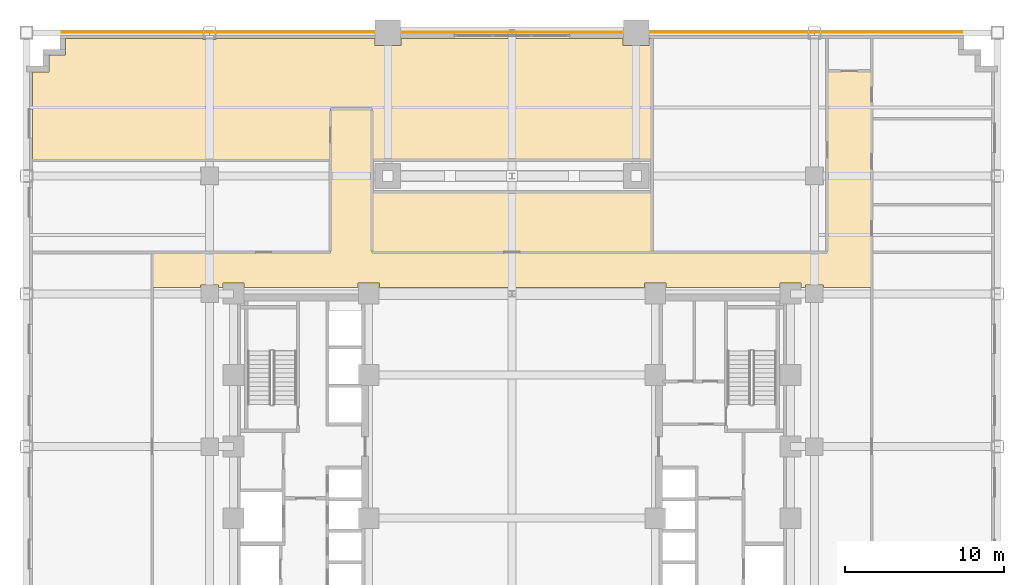
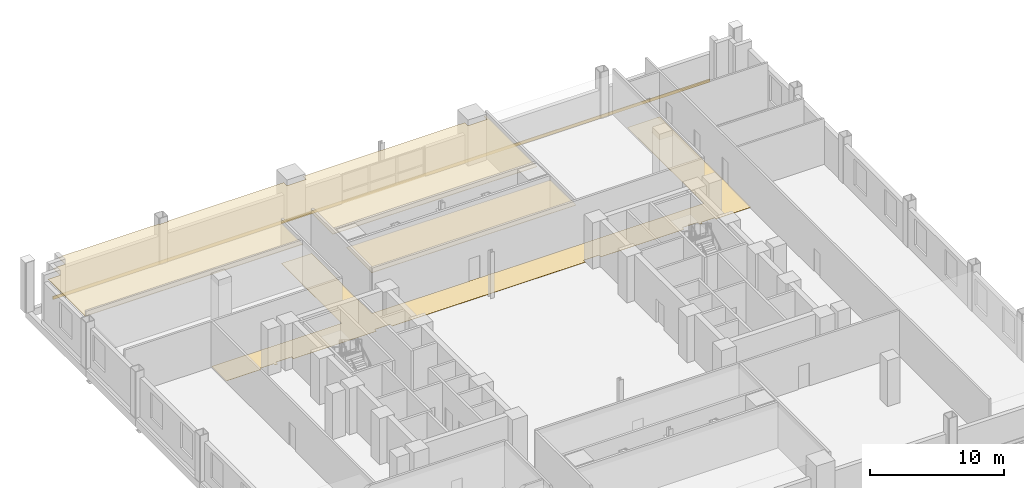
# One storey, part 16 of 17: 4 coverings.
"""IFC4 building model written with IfcOpenShell, lengths in metres."""

from ifc_helpers import new_model, si_unit, direction, frame, origin, origin_2d, place, context, subcontext, project, spatial, polyline, rectangle, outline, extrude, source, transform, mapped, material, layer, layer_set, type_object, type_shapes, element, save


model = new_model("IFC4")

# Units and contexts
model_context = context("Model", 3, precision=1e-05, world=origin(), true_north=direction((0.0, 1.0)))
body_context = subcontext(model_context, "Body", "Model", "MODEL_VIEW")
ifc_project = project(units=[si_unit("LENGTHUNIT", "METRE"), si_unit("AREAUNIT", "SQUARE_METRE"), si_unit("VOLUMEUNIT", "CUBIC_METRE"), si_unit("PLANEANGLEUNIT", "RADIAN"), si_unit("MASSUNIT", "GRAM", prefix="KILO")], contexts=[model_context])

# Site, building, storey
site_placement = place(None, origin())
site = spatial("IfcSite", under=ifc_project, at=site_placement, CompositionType="ELEMENT")
building_placement = place(site_placement, origin())
building = spatial("IfcBuilding", under=site, at=building_placement, Name="Nuvemarco Arch Tower", CompositionType="ELEMENT")
storey_placement = place(building_placement, frame((0.0, 0.0, 18.39990234375)))
storey = spatial("IfcBuildingStorey", under=building, at=storey_placement, Name="L04", CompositionType="ELEMENT", Elevation=18.39990234375)

# Coverings
ifc_material_1 = material(Name="Mineral acoustic ceiling tile")
ifc_layer_1 = layer(ifc_material_1, 0.0400390625, Name="COV-ACOUSTIC-CLG")
ifc_layer_set_1 = layer_set([ifc_layer_1], Name="Mineral acoustic ceiling tile")
covering_type_1 = type_object("IfcCoveringType", Name="COV-ACOUSTIC-CLG", PredefinedType="CEILING", material=ifc_layer_set_1)
covering_1_placement = place(storey_placement, frame((0.0, 0.0, 3.68017578125)))
element("IfcCovering", 1, at=covering_1_placement, inside=storey, type_object=covering_type_1, Name="L04 suspended acoustic ceiling 2", PredefinedType="CEILING", context=body_context, shape_type="SweptSolid", body=[
    extrude(outline(polyline([(-30.139892578125, 18.0), (-30.139892578125, 23.5400390625), (-29.090087890625, 23.5400390625), (-29.090087890625, 24.590087890625), (-28.0400390625, 24.590087890625), (-28.0400390625, 25.639892578125), (-19.4150390625, 25.639892578125), (-19.4150390625, 25.5849609375), (-18.5849609375, 25.5849609375), (-18.5849609375, 25.639892578125), (-8.614990234375, 25.639892578125), (-8.614990234375, 25.18505859375), (-6.985107421875, 25.18505859375), (-6.985107421875, 25.639892578125), (6.985107421875, 25.639892578125), (6.985107421875, 25.18505859375), (8.614990234375, 25.18505859375), (8.614990234375, 25.639892578125), (8.800048828125, 25.639892578125), (8.800048828125, 18.0), (-8.800048828125, 18.0), (-8.800048828125, 21.199951171875), (-11.39990234375, 21.199951171875), (-11.39990234375, 18.0), (-30.139892578125, 18.0)])), origin(), (0.0, 0.0, 1.0), 0.0400390625),
])
covering_2_placement = place(storey_placement, frame((0.0, 0.0, 3.68017578125)))
element("IfcCovering", 2, at=covering_2_placement, inside=storey, type_object=covering_type_1, Name="L04 suspended acoustic ceiling 8", PredefinedType="CEILING", context=body_context, shape_type="SweptSolid", body=[
    extrude(outline(polyline([(-8.800048828125, 16.0), (8.800048828125, 16.0), (8.800048828125, 12.199951171875), (-8.800048828125, 12.199951171875), (-8.800048828125, 16.0)])), origin(), (0.0, 0.0, 1.0), 0.0400390625),
])
ifc_material_2 = material(Name="Polished granite terrazzostone flooring", Category="masonry")
ifc_layer_2 = layer(ifc_material_2, 0.02001953125, Name="COV-LOBBY-FLR")
ifc_layer_set_2 = layer_set([ifc_layer_2], Name="Polished granite terrazzostone flooring")
covering_type_2 = type_object("IfcCoveringType", Name="COV-LOBBY-FLR", PredefinedType="FLOORING", material=ifc_layer_set_2)
covering_3_placement = place(storey_placement, origin())
element("IfcCovering", 3, at=covering_3_placement, inside=storey, type_object=covering_type_2, Name="L04 polished terrazzo lobby flooring", PredefinedType="FLOORING", context=body_context, shape_type="SweptSolid", body=[
    extrude(outline(polyline([(-22.60009765625, 12.199951171875), (-19.800048828125, 12.199951171875), (-11.39990234375, 12.199951171875), (-11.39990234375, 21.199951171875), (-8.800048828125, 21.199951171875), (-8.800048828125, 18.0), (-8.800048828125, 16.0), (-8.800048828125, 12.199951171875), (19.800048828125, 12.199951171875), (19.800048828125, 23.60009765625), (22.60009765625, 23.60009765625), (22.60009765625, 12.199951171875), (22.60009765625, 10.0), (19.56494140625, 10.0), (19.56494140625, 10.1650390625), (18.43505859375, 10.1650390625), (18.43505859375, 10.0), (18.1650390625, 10.0), (18.1650390625, 10.264892578125), (16.8349609375, 10.264892578125), (16.8349609375, 10.0), (9.6650390625, 10.0), (9.6650390625, 10.264892578125), (8.3349609375, 10.264892578125), (8.3349609375, 10.0), (-8.3349609375, 10.0), (-8.3349609375, 10.264892578125), (-9.6650390625, 10.264892578125), (-9.6650390625, 10.0), (-16.8349609375, 10.0), (-16.8349609375, 10.264892578125), (-18.1650390625, 10.264892578125), (-18.1650390625, 10.0), (-18.43505859375, 10.0), (-18.43505859375, 10.1650390625), (-19.56494140625, 10.1650390625), (-19.56494140625, 10.0), (-22.60009765625, 10.0), (-22.60009765625, 12.199951171875)])), origin(), (0.0, 0.0, 1.0), 0.02001953125),
])
ifc_material_3 = material(Name="Precast concrete C45/55", Category="concrete")
ifc_layer_3 = layer(ifc_material_3, 0.06005859375, Name="COV-SPANDREL-CLAD")
ifc_layer_set_3 = layer_set([ifc_layer_3], Name="Precast concrete C45/55")
covering_type_3 = type_object("IfcCoveringType", Name="COV-SPANDREL-CLAD", PredefinedType="CLADDING", material=ifc_layer_set_3)
shared_shape = source(origin(), body_context, "Body", "SweptSolid", [
    extrude(rectangle(XDim=56.60009765625, YDim=0.06005859375, at=origin_2d()), origin(), (0.0, 0.0, 1.0), 0.280029296875),
])
type_shapes(covering_type_3, [shared_shape])
covering_4_placement = place(storey_placement, frame((0.0, 26.029052734375, -0.27978515625), z_axis=(0.0, 0.0, 1.0), x_axis=(1.0, 0.0, 0.0)))
element("IfcCovering", 4, at=covering_4_placement, inside=storey, type_object=covering_type_3, Name="L04 precast spandrel edge cladding north", PredefinedType="CLADDING", context=body_context, shape_type="MappedRepresentation", body=[
    mapped(shared_shape, transform((0.0, 0.0, 0.0), scale=1.0)),
])

save(model, "model.ifc")
